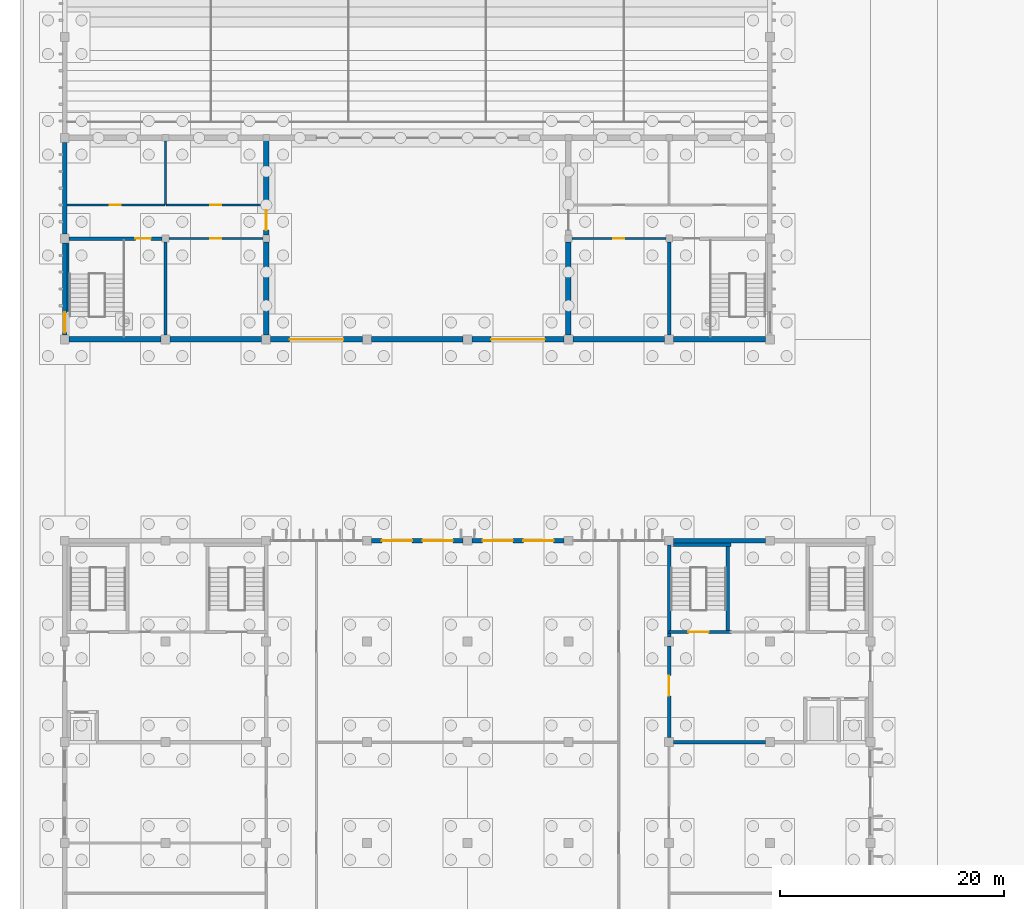
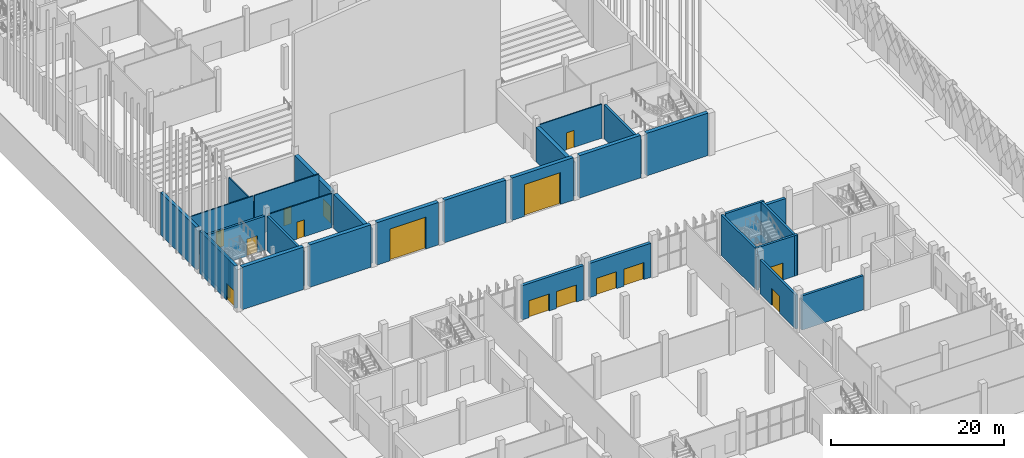
# One storey, part 83 of 198: 31 walls, 15 doors, 15 openings.
"""IFC4 building model written with IfcOpenShell, lengths in metres."""

from ifc_helpers import new_model, si_unit, direction, frame, frame_2d, origin, place, context, subcontext, project, spatial, rectangle, extrude, material, layer, layer_set, type_object, element, fill, save


model = new_model("IFC4")

# Units and contexts
model_context = context("Model", 3, precision=1e-05, world=origin(), true_north=direction((0.0, 1.0)))
body_context = subcontext(model_context, "Body", "Model", "MODEL_VIEW")
ifc_project = project(units=[si_unit("LENGTHUNIT", "METRE"), si_unit("AREAUNIT", "SQUARE_METRE"), si_unit("VOLUMEUNIT", "CUBIC_METRE"), si_unit("PLANEANGLEUNIT", "RADIAN"), si_unit("MASSUNIT", "GRAM", prefix="KILO")], contexts=[model_context])

# Site, building, storey
site_placement = place(None, origin())
site = spatial("IfcSite", under=ifc_project, at=site_placement, CompositionType="ELEMENT")
building_placement = place(site_placement, origin())
building = spatial("IfcBuilding", under=site, at=building_placement, Name="Opaline Strait Convention Centre", CompositionType="ELEMENT")
storey_placement = place(building_placement, origin())
storey = spatial("IfcBuildingStorey", under=building, at=storey_placement, Name="L00", CompositionType="ELEMENT", Elevation=0.0)

# Wall, opening, door
ifc_material_1 = material(Name="Autoclaved aerated blockwork", Category="masonry")
ifc_layer_1 = layer(ifc_material_1, 0.14990234375)
ifc_layer_set_1 = layer_set([ifc_layer_1], Name="Autoclaved aerated blockwork")
wall_type_1 = type_object("IfcWallType", Name="Blockwork partition 150", PredefinedType="PARTITIONING", material=ifc_layer_set_1)
wall_1_placement = place(storey_placement, frame((9.199951171875, 129.0, 0.0), z_axis=(0.0, 0.0, 1.0), x_axis=(1.0, 0.0, 0.0)))
wall_1 = element("IfcWall", 1, at=wall_1_placement, inside=storey, type_object=wall_type_1, Name="PW11 L00 partition WY129A", PredefinedType="PARTITIONING", context=body_context, shape_type="SweptSolid", body=[
    extrude(rectangle(XDim=8.72509765625, YDim=0.14990234375, at=frame_2d((4.362548828125, 0.0))), origin(), (0.0, 0.0, 1.0), 5.719970703125),
])
opening_1_placement = place(wall_1_placement, frame((3.800048828125, 0.0, 0.0)))
opening_1 = element("IfcOpeningElement", 2, at=opening_1_placement, cuts=wall_1, Name="Opening P0-023", PredefinedType="OPENING", context=body_context, shape_type="SweptSolid", body=[
    extrude(rectangle(XDim=1.0, YDim=2.39990234375, at=frame_2d((0.5, 1.199951171875))), frame((0.0, 0.0849609375, 0.0), z_axis=(0.0, -1.0, 0.0), x_axis=(1.0, 0.0, 0.0)), (0.0, 0.0, 1.0), 0.169921875),
])
ifc_material_2 = material(Name="Steel Q235B", Category="steel")
door_type_1 = type_object("IfcDoorType", Name="Fire door FD30 1000 x 2400", OperationType="NOTDEFINED", PredefinedType="DOOR", material=ifc_material_2)
door_1_placement = place(opening_1_placement, origin())
door_1 = element("IfcDoor", 3, at=door_1_placement, inside=storey, type_object=door_type_1, Name="L00 room door", ObjectType="PD7", OperationType="SINGLE_SWING_LEFT", OverallHeight=2.39990234375, OverallWidth=1.0, PredefinedType="DOOR", context=body_context, shape_type="SweptSolid", body=[
    extrude(rectangle(XDim=1.0, YDim=2.39990234375, at=frame_2d((0.5, 1.199951171875))), frame((0.0, 0.02490234375, 0.0), z_axis=(0.0, -1.0, 0.0), x_axis=(1.0, 0.0, 0.0)), (0.0, 0.0, 1.0), 0.050048828125),
])
fill(opening_1, door_1)

wall_2_placement = place(storey_placement, frame((18.074951171875, 129.0, 0.0), z_axis=(0.0, 0.0, 1.0), x_axis=(1.0, 0.0, 0.0)))
wall_2 = element("IfcWall", 4, at=wall_2_placement, inside=storey, type_object=wall_type_1, Name="PW11 L00 partition WY129B", PredefinedType="PARTITIONING", context=body_context, shape_type="SweptSolid", body=[
    extrude(rectangle(XDim=8.625, YDim=0.14990234375, at=frame_2d((4.3125, 0.0))), origin(), (0.0, 0.0, 1.0), 5.719970703125),
])
opening_2_placement = place(wall_2_placement, frame((3.925048828125, 0.0, 0.0)))
opening_2 = element("IfcOpeningElement", 5, at=opening_2_placement, cuts=wall_2, Name="Opening P0-024", PredefinedType="OPENING", context=body_context, shape_type="SweptSolid", body=[
    extrude(rectangle(XDim=1.0, YDim=2.39990234375, at=frame_2d((0.5, 1.199951171875))), frame((0.0, 0.0849609375, 0.0), z_axis=(0.0, -1.0, 0.0), x_axis=(1.0, 0.0, 0.0)), (0.0, 0.0, 1.0), 0.169921875),
])
door_2_placement = place(opening_2_placement, origin())
door_2 = element("IfcDoor", 6, at=door_2_placement, inside=storey, type_object=door_type_1, Name="L00 room door", ObjectType="PD7", OperationType="SINGLE_SWING_RIGHT", OverallHeight=2.39990234375, OverallWidth=1.0, PredefinedType="DOOR", context=body_context, shape_type="SweptSolid", body=[
    extrude(rectangle(XDim=1.0, YDim=2.39990234375, at=frame_2d((0.5, 1.199951171875))), frame((0.0, 0.02490234375, 0.0), z_axis=(0.0, -1.0, 0.0), x_axis=(1.0, 0.0, 0.0)), (0.0, 0.0, 1.0), 0.050048828125),
])
fill(opening_2, door_2)

# Wall
wall_3_placement = place(storey_placement, frame((18.0, 129.074951171875, 0.0), z_axis=(0.0, 0.0, 1.0), x_axis=(0.0, 1.0, 0.0)))
element("IfcWall", 7, at=wall_3_placement, inside=storey, type_object=wall_type_1, Name="PW11 L00 partition WX18", PredefinedType="PARTITIONING", context=body_context, shape_type="SweptSolid", body=[
    extrude(rectangle(XDim=5.625, YDim=0.14990234375, at=frame_2d((2.8125, 0.0))), origin(), (0.0, 0.0, 1.0), 4.820068359375),
])

# Wall, opening, door
wall_4_placement = place(storey_placement, frame((18.300048828125, 126.0, 0.0), z_axis=(0.0, 0.0, 1.0), x_axis=(1.0, 0.0, 0.0)))
wall_4 = element("IfcWall", 8, at=wall_4_placement, inside=storey, type_object=wall_type_1, Name="PW11 L00 partition WY126", PredefinedType="PARTITIONING", context=body_context, shape_type="SweptSolid", body=[
    extrude(rectangle(XDim=8.39990234375, YDim=0.14990234375, at=frame_2d((4.199951171875, 0.0))), origin(), (0.0, 0.0, 1.0), 4.820068359375),
])
opening_3_placement = place(wall_4_placement, frame((3.699951171875, 0.0, 0.0)))
opening_3 = element("IfcOpeningElement", 9, at=opening_3_placement, cuts=wall_4, Name="Opening P0-025", PredefinedType="OPENING", context=body_context, shape_type="SweptSolid", body=[
    extrude(rectangle(XDim=1.0, YDim=2.39990234375, at=frame_2d((0.5, 1.199951171875))), frame((0.0, 0.0849609375, 0.0), z_axis=(0.0, -1.0, 0.0), x_axis=(1.0, 0.0, 0.0)), (0.0, 0.0, 1.0), 0.169921875),
])
door_3_placement = place(opening_3_placement, origin())
door_3 = element("IfcDoor", 10, at=door_3_placement, inside=storey, type_object=door_type_1, Name="L00 room door", ObjectType="PD7", OperationType="SINGLE_SWING_LEFT", OverallHeight=2.39990234375, OverallWidth=1.0, PredefinedType="DOOR", context=body_context, shape_type="SweptSolid", body=[
    extrude(rectangle(XDim=1.0, YDim=2.39990234375, at=frame_2d((0.5, 1.199951171875))), frame((0.0, 0.02490234375, 0.0), z_axis=(0.0, -1.0, 0.0), x_axis=(1.0, 0.0, 0.0)), (0.0, 0.0, 1.0), 0.050048828125),
])
fill(opening_3, door_3)

wall_5_placement = place(storey_placement, frame((62.699951171875, 126.0, 0.0), z_axis=(0.0, 0.0, 1.0), x_axis=(-1.0, 0.0, 0.0)))
wall_5 = element("IfcWall", 11, at=wall_5_placement, inside=storey, type_object=wall_type_1, Name="PW11 L00 partition EY126", PredefinedType="PARTITIONING", context=body_context, shape_type="SweptSolid", body=[
    extrude(rectangle(XDim=8.39990234375, YDim=0.14990234375, at=frame_2d((4.199951171875, 0.0))), origin(), (0.0, 0.0, 1.0), 4.820068359375),
])
opening_4_placement = place(wall_5_placement, frame((3.699951171875, 0.0, 0.0)))
opening_4 = element("IfcOpeningElement", 12, at=opening_4_placement, cuts=wall_5, Name="Opening P0-029", PredefinedType="OPENING", context=body_context, shape_type="SweptSolid", body=[
    extrude(rectangle(XDim=1.0, YDim=2.39990234375, at=frame_2d((0.5, 1.199951171875))), frame((0.0, 0.0849609375, 0.0), z_axis=(0.0, -1.0, 0.0), x_axis=(1.0, 0.0, 0.0)), (0.0, 0.0, 1.0), 0.169921875),
])
door_4_placement = place(opening_4_placement, origin())
door_4 = element("IfcDoor", 13, at=door_4_placement, inside=storey, type_object=door_type_1, Name="L00 room door", ObjectType="PD7", OperationType="SINGLE_SWING_LEFT", OverallHeight=2.39990234375, OverallWidth=1.0, PredefinedType="DOOR", context=body_context, shape_type="SweptSolid", body=[
    extrude(rectangle(XDim=1.0, YDim=2.39990234375, at=frame_2d((0.5, 1.199951171875))), frame((0.0, 0.02490234375, 0.0), z_axis=(0.0, -1.0, 0.0), x_axis=(1.0, 0.0, 0.0)), (0.0, 0.0, 1.0), 0.050048828125),
])
fill(opening_4, door_4)

ifc_material_3 = material(Name="Concrete C40", Category="concrete")
ifc_layer_2 = layer(ifc_material_3, 0.320068359375)
ifc_material_4 = material(Name="Mineral wool insulation")
ifc_layer_3 = layer(ifc_material_4, 0.050048828125)
ifc_material_5 = material(Name="Gypsum board lining")
ifc_layer_4 = layer(ifc_material_5, 0.030029296875)
ifc_layer_set_2 = layer_set([ifc_layer_2, ifc_layer_3, ifc_layer_4], Name="Concrete C40, Mineral wool insulation, Gypsum board lining")
wall_type_2 = type_object("IfcWallType", Name="RC external wall 400 C40", PredefinedType="SOLIDWALL", material=ifc_layer_set_2)
wall_6_placement = place(storey_placement, frame((9.0, 117.39990234375, 0.0), z_axis=(0.0, 0.0, 1.0), x_axis=(0.0, 1.0, 0.0)))
wall_6 = element("IfcWall", 14, at=wall_6_placement, inside=storey, type_object=wall_type_2, Name="PW1 west wall L00 2/P-2/Q", PredefinedType="SOLIDWALL", context=body_context, shape_type="SweptSolid", body=[
    extrude(rectangle(XDim=8.2001953125, YDim=0.39990234375, at=frame_2d((4.10009765625, 0.0))), origin(), (0.0, 0.0, 1.0), 6.0),
])
opening_5_placement = place(wall_6_placement, frame((0.199951171875, 0.0, 0.0)))
opening_5 = element("IfcOpeningElement", 15, at=opening_5_placement, cuts=wall_6, Name="Opening P0-006", PredefinedType="OPENING", context=body_context, shape_type="SweptSolid", body=[
    extrude(rectangle(XDim=1.800048828125, YDim=2.39990234375, at=frame_2d((0.89990234375, 1.199951171875))), frame((0.0, 0.2099609375, 0.0), z_axis=(0.0, -1.0, 0.0), x_axis=(1.0, 0.0, 0.0)), (0.0, 0.0, 1.0), 0.419921875),
])
door_type_2 = type_object("IfcDoorType", Name="Exit double door 1800 x 2400", OperationType="DOUBLE_DOOR_SINGLE_SWING", PredefinedType="DOOR", material=ifc_material_2)
door_5_placement = place(opening_5_placement, origin())
door_5 = element("IfcDoor", 16, at=door_5_placement, inside=storey, type_object=door_type_2, Name="Stage wing stair exit west", ObjectType="PD3", OperationType="DOUBLE_DOOR_SINGLE_SWING", OverallHeight=2.39990234375, OverallWidth=1.800048828125, PredefinedType="DOOR", context=body_context, shape_type="SweptSolid", body=[
    extrude(rectangle(XDim=1.800048828125, YDim=2.39990234375, at=frame_2d((0.89990234375, 1.199951171875))), frame((0.0, 0.02490234375, 0.0), z_axis=(0.0, -1.0, 0.0), x_axis=(1.0, 0.0, 0.0)), (0.0, 0.0, 1.0), 0.050048828125),
])
fill(opening_5, door_5)

# Walls
wall_7_placement = place(storey_placement, frame((9.0, 126.39990234375, 0.0), z_axis=(0.0, 0.0, 1.0), x_axis=(0.0, 1.0, 0.0)))
element("IfcWall", 17, at=wall_7_placement, inside=storey, type_object=wall_type_2, Name="PW1 west wall L00 2/Q-2/R", PredefinedType="SOLIDWALL", context=body_context, shape_type="SweptSolid", body=[
    extrude(rectangle(XDim=8.2001953125, YDim=0.39990234375, at=frame_2d((4.10009765625, 0.0))), origin(), (0.0, 0.0, 1.0), 6.0),
])
ifc_layer_5 = layer(ifc_material_3, 0.419921875)
ifc_layer_6 = layer(ifc_material_4, 0.050048828125)
ifc_layer_7 = layer(ifc_material_5, 0.030029296875)
ifc_layer_set_3 = layer_set([ifc_layer_5, ifc_layer_6, ifc_layer_7], Name="Concrete C40, Mineral wool insulation, Gypsum board lining")
wall_type_3 = type_object("IfcWallType", Name="RC stage wall 500 C40", PredefinedType="SOLIDWALL", material=ifc_layer_set_3)
for number, where, z_axis, x_axis, name in (
    (18, (9.39990234375, 117.0, 0.0), (0.0, 0.0, 1.0), (1.0, 0.0, 0.0), "PW2 south stage wall L00 2/P-3/P"),
    (19, (18.39990234375, 117.0, 0.0), (0.0, 0.0, 1.0), (1.0, 0.0, 0.0), "PW2 south stage wall L00 3/P-4/P"),
):
    element("IfcWall", number, at=place(storey_placement, frame(where, z_axis=z_axis, x_axis=x_axis)), inside=storey, type_object=wall_type_3, Name=name, PredefinedType="SOLIDWALL", context=body_context, shape_type="SweptSolid", body=[
        extrude(rectangle(XDim=8.2001953125, YDim=0.5, at=frame_2d((4.10009765625, 0.0))), origin(), (0.0, 0.0, 1.0), 6.0),
    ])

# Wall, opening, door
wall_8_placement = place(storey_placement, frame((27.39990234375, 117.0, 0.0), z_axis=(0.0, 0.0, 1.0), x_axis=(1.0, 0.0, 0.0)))
wall_8 = element("IfcWall", 20, at=wall_8_placement, inside=storey, type_object=wall_type_3, Name="PW2 south stage wall L00 4/P-5/P", PredefinedType="SOLIDWALL", context=body_context, shape_type="SweptSolid", body=[
    extrude(rectangle(XDim=8.2001953125, YDim=0.5, at=frame_2d((4.10009765625, 0.0))), origin(), (0.0, 0.0, 1.0), 6.0),
])
opening_6_placement = place(wall_8_placement, frame((1.699951171875, 0.0, 0.0)))
opening_6 = element("IfcOpeningElement", 21, at=opening_6_placement, cuts=wall_8, Name="Opening P0-001", PredefinedType="OPENING", context=body_context, shape_type="SweptSolid", body=[
    extrude(rectangle(XDim=4.800048828125, YDim=4.5, at=frame_2d((2.39990234375, 2.25))), frame((0.0, 0.260009765625, 0.0), z_axis=(0.0, -1.0, 0.0), x_axis=(1.0, 0.0, 0.0)), (0.0, 0.0, 1.0), 0.52001953125),
])
door_type_3 = type_object("IfcDoorType", Name="Scenery dock door 4800 x 4500", OperationType="SLIDING_TO_LEFT", PredefinedType="DOOR", material=ifc_material_2)
door_6_placement = place(opening_6_placement, frame((4.800048828125, 0.0, 0.0), z_axis=(0.0, 0.0, 1.0), x_axis=(-1.0, 0.0, 0.0)))
door_6 = element("IfcDoor", 22, at=door_6_placement, inside=storey, type_object=door_type_3, Name="Scenery dock door", ObjectType="PD4", OperationType="SLIDING_TO_LEFT", OverallHeight=4.5, OverallWidth=4.800048828125, PredefinedType="DOOR", context=body_context, shape_type="SweptSolid", body=[
    extrude(rectangle(XDim=4.800048828125, YDim=4.5, at=frame_2d((2.39990234375, 2.25))), frame((0.0, 0.02490234375, 0.0), z_axis=(0.0, -1.0, 0.0), x_axis=(1.0, 0.0, 0.0)), (0.0, 0.0, 1.0), 0.050048828125),
])
fill(opening_6, door_6)

# Wall
wall_9_placement = place(storey_placement, frame((36.39990234375, 117.0, 0.0), z_axis=(0.0, 0.0, 1.0), x_axis=(1.0, 0.0, 0.0)))
element("IfcWall", 23, at=wall_9_placement, inside=storey, type_object=wall_type_3, Name="PW2 south stage wall L00 5/P-6/P", PredefinedType="SOLIDWALL", context=body_context, shape_type="SweptSolid", body=[
    extrude(rectangle(XDim=8.2001953125, YDim=0.5, at=frame_2d((4.10009765625, 0.0))), origin(), (0.0, 0.0, 1.0), 6.0),
])

# Wall, opening, door
wall_10_placement = place(storey_placement, frame((45.39990234375, 117.0, 0.0), z_axis=(0.0, 0.0, 1.0), x_axis=(1.0, 0.0, 0.0)))
wall_10 = element("IfcWall", 24, at=wall_10_placement, inside=storey, type_object=wall_type_3, Name="PW2 south stage wall L00 6/P-7/P", PredefinedType="SOLIDWALL", context=body_context, shape_type="SweptSolid", body=[
    extrude(rectangle(XDim=8.2001953125, YDim=0.5, at=frame_2d((4.10009765625, 0.0))), origin(), (0.0, 0.0, 1.0), 6.0),
])
opening_7_placement = place(wall_10_placement, frame((1.699951171875, 0.0, 0.0)))
opening_7 = element("IfcOpeningElement", 25, at=opening_7_placement, cuts=wall_10, Name="Opening P0-002", PredefinedType="OPENING", context=body_context, shape_type="SweptSolid", body=[
    extrude(rectangle(XDim=4.800048828125, YDim=4.5, at=frame_2d((2.39990234375, 2.25))), frame((0.0, 0.260009765625, 0.0), z_axis=(0.0, -1.0, 0.0), x_axis=(1.0, 0.0, 0.0)), (0.0, 0.0, 1.0), 0.52001953125),
])
door_7_placement = place(opening_7_placement, frame((4.800048828125, 0.0, 0.0), z_axis=(0.0, 0.0, 1.0), x_axis=(-1.0, 0.0, 0.0)))
door_7 = element("IfcDoor", 26, at=door_7_placement, inside=storey, type_object=door_type_3, Name="Scenery dock door", ObjectType="PD4", OperationType="SLIDING_TO_LEFT", OverallHeight=4.5, OverallWidth=4.800048828125, PredefinedType="DOOR", context=body_context, shape_type="SweptSolid", body=[
    extrude(rectangle(XDim=4.800048828125, YDim=4.5, at=frame_2d((2.39990234375, 2.25))), frame((0.0, 0.02490234375, 0.0), z_axis=(0.0, -1.0, 0.0), x_axis=(1.0, 0.0, 0.0)), (0.0, 0.0, 1.0), 0.050048828125),
])
fill(opening_7, door_7)

# Walls
for number, where, z_axis, x_axis, name in (
    (27, (54.39990234375, 117.0, 0.0), (0.0, 0.0, 1.0), (1.0, 0.0, 0.0), "PW2 south stage wall L00 7/P-8/P"),
    (28, (63.39990234375, 117.0, 0.0), (0.0, 0.0, 1.0), (1.0, 0.0, 0.0), "PW2 south stage wall L00 8/P-9/P"),
):
    element("IfcWall", number, at=place(storey_placement, frame(where, z_axis=z_axis, x_axis=x_axis)), inside=storey, type_object=wall_type_3, Name=name, PredefinedType="SOLIDWALL", context=body_context, shape_type="SweptSolid", body=[
        extrude(rectangle(XDim=8.2001953125, YDim=0.5, at=frame_2d((4.10009765625, 0.0))), origin(), (0.0, 0.0, 1.0), 6.0),
    ])
wall_11_placement = place(storey_placement, frame((27.0, 117.39990234375, 0.0), z_axis=(0.0, 0.0, 1.0), x_axis=(0.0, 1.0, 0.0)))
element("IfcWall", 29, at=wall_11_placement, inside=storey, type_object=wall_type_3, Name="PW2 stage side wall L00 at 4/P", PredefinedType="SOLIDWALL", context=body_context, shape_type="SweptSolid", body=[
    extrude(rectangle(XDim=8.300048828125, YDim=0.5, at=frame_2d((4.14990234375, 0.0))), origin(), (0.0, 0.0, 1.0), 4.820068359375),
])

# Wall, opening, door
wall_12_placement = place(storey_placement, frame((27.0, 126.300048828125, 0.0), z_axis=(0.0, 0.0, 1.0), x_axis=(0.0, 1.0, 0.0)))
wall_12 = element("IfcWall", 30, at=wall_12_placement, inside=storey, type_object=wall_type_3, Name="PW2 stage side wall L00 at 4/P", PredefinedType="SOLIDWALL", context=body_context, shape_type="SweptSolid", body=[
    extrude(rectangle(XDim=8.449951171875, YDim=0.5, at=frame_2d((4.22509765625, 0.0))), origin(), (0.0, 0.0, 1.0), 4.820068359375),
])
opening_8_placement = place(wall_12_placement, frame((0.449951171875, 0.0, 0.0)))
opening_8 = element("IfcOpeningElement", 31, at=opening_8_placement, cuts=wall_12, Name="Opening P0-026", PredefinedType="OPENING", context=body_context, shape_type="SweptSolid", body=[
    extrude(rectangle(XDim=1.800048828125, YDim=2.39990234375, at=frame_2d((0.89990234375, 1.199951171875))), frame((0.0, 0.260009765625, 0.0), z_axis=(0.0, -1.0, 0.0), x_axis=(1.0, 0.0, 0.0)), (0.0, 0.0, 1.0), 0.52001953125),
])
door_type_4 = type_object("IfcDoorType", Name="Fire door FD90 1800 x 2400", OperationType="DOUBLE_DOOR_SINGLE_SWING", PredefinedType="DOOR", material=ifc_material_2)
door_8_placement = place(opening_8_placement, origin())
door_8 = element("IfcDoor", 32, at=door_8_placement, inside=storey, type_object=door_type_4, Name="Stage door", ObjectType="PD9", OperationType="SINGLE_SWING_LEFT", OverallHeight=2.39990234375, OverallWidth=1.800048828125, PredefinedType="DOOR", context=body_context, shape_type="SweptSolid", body=[
    extrude(rectangle(XDim=1.800048828125, YDim=2.39990234375, at=frame_2d((0.89990234375, 1.199951171875))), frame((0.0, 0.02490234375, 0.0), z_axis=(0.0, -1.0, 0.0), x_axis=(1.0, 0.0, 0.0)), (0.0, 0.0, 1.0), 0.050048828125),
])
fill(opening_8, door_8)

# Walls
wall_13_placement = place(storey_placement, frame((54.0, 117.39990234375, 0.0), z_axis=(0.0, 0.0, 1.0), x_axis=(0.0, 1.0, 0.0)))
element("IfcWall", 33, at=wall_13_placement, inside=storey, type_object=wall_type_3, Name="PW2 stage side wall L00 at 7/P", PredefinedType="SOLIDWALL", context=body_context, shape_type="SweptSolid", body=[
    extrude(rectangle(XDim=8.300048828125, YDim=0.5, at=frame_2d((4.14990234375, 0.0))), origin(), (0.0, 0.0, 1.0), 4.820068359375),
])
ifc_layer_8 = layer(ifc_material_3, 0.300048828125)
ifc_layer_set_4 = layer_set([ifc_layer_8], Name="Concrete C40")
wall_type_4 = type_object("IfcWallType", Name="RC stair core wall 300 C40", PredefinedType="SOLIDWALL", material=ifc_layer_set_4)
wall_14_placement = place(storey_placement, frame((18.0, 117.39990234375, 0.0), z_axis=(0.0, 0.0, 1.0), x_axis=(0.0, 1.0, 0.0)))
element("IfcWall", 34, at=wall_14_placement, inside=storey, type_object=wall_type_4, Name="PW13 L00 SW core side wall", PredefinedType="SOLIDWALL", context=body_context, shape_type="SweptSolid", body=[
    extrude(rectangle(XDim=8.300048828125, YDim=0.300048828125, at=frame_2d((4.14990234375, 0.0))), origin(), (0.0, 0.0, 1.0), 4.820068359375),
])

# Wall, opening, door
wall_15_placement = place(storey_placement, frame((9.39990234375, 126.0, 0.0), z_axis=(0.0, 0.0, 1.0), x_axis=(1.0, 0.0, 0.0)))
wall_15 = element("IfcWall", 35, at=wall_15_placement, inside=storey, type_object=wall_type_4, Name="PW13 L00 SW core cross wall", PredefinedType="SOLIDWALL", context=body_context, shape_type="SweptSolid", body=[
    extrude(rectangle(XDim=8.300048828125, YDim=0.300048828125, at=frame_2d((4.14990234375, 0.0))), origin(), (0.0, 0.0, 1.0), 4.820068359375),
])
opening_9_placement = place(wall_15_placement, frame((5.89990234375, 0.0, 0.0)))
opening_9 = element("IfcOpeningElement", 36, at=opening_9_placement, cuts=wall_15, Name="Opening P0-017", PredefinedType="OPENING", context=body_context, shape_type="SweptSolid", body=[
    extrude(rectangle(XDim=1.39990234375, YDim=2.39990234375, at=frame_2d((0.699951171875, 1.199951171875))), frame((0.0, 0.159912109375, 0.0), z_axis=(0.0, -1.0, 0.0), x_axis=(1.0, 0.0, 0.0)), (0.0, 0.0, 1.0), 0.320068359375),
])
door_type_5 = type_object("IfcDoorType", Name="Fire door FD60 1400 x 2400", OperationType="DOUBLE_DOOR_SINGLE_SWING", PredefinedType="DOOR", material=ifc_material_2)
door_9_placement = place(opening_9_placement, origin())
door_9 = element("IfcDoor", 37, at=door_9_placement, inside=storey, type_object=door_type_5, Name="SW stair core door", ObjectType="PD8", OperationType="SINGLE_SWING_LEFT", OverallHeight=2.39990234375, OverallWidth=1.39990234375, PredefinedType="DOOR", context=body_context, shape_type="SweptSolid", body=[
    extrude(rectangle(XDim=1.39990234375, YDim=2.39990234375, at=frame_2d((0.699951171875, 1.199951171875))), frame((0.0, 0.02490234375, 0.0), z_axis=(0.0, -1.0, 0.0), x_axis=(1.0, 0.0, 0.0)), (0.0, 0.0, 1.0), 0.050048828125),
])
fill(opening_9, door_9)

# Walls
wall_16_placement = place(storey_placement, frame((63.0, 117.39990234375, 0.0), z_axis=(0.0, 0.0, 1.0), x_axis=(0.0, 1.0, 0.0)))
element("IfcWall", 38, at=wall_16_placement, inside=storey, type_object=wall_type_4, Name="PW13 L00 SE core side wall", PredefinedType="SOLIDWALL", context=body_context, shape_type="SweptSolid", body=[
    extrude(rectangle(XDim=8.300048828125, YDim=0.300048828125, at=frame_2d((4.14990234375, 0.0))), origin(), (0.0, 0.0, 1.0), 4.820068359375),
])
ifc_layer_9 = layer(ifc_material_3, 0.199951171875)
ifc_layer_set_5 = layer_set([ifc_layer_9], Name="Concrete C40")
wall_type_5 = type_object("IfcWallType", Name="RC stair lining wall 200 C40", PredefinedType="SOLIDWALL", material=ifc_layer_set_5)
wall_17_placement = place(storey_placement, frame((9.300048828125, 119.5, 0.0), z_axis=(0.0, 0.0, 1.0), x_axis=(0.0, 1.0, 0.0)))
element("IfcWall", 39, at=wall_17_placement, inside=storey, type_object=wall_type_5, Name="PW14 L00 SW stair lining wall 1", PredefinedType="SOLIDWALL", context=body_context, shape_type="SweptSolid", body=[
    extrude(rectangle(XDim=6.199951171875, YDim=0.199951171875, at=frame_2d((3.10009765625, 0.0))), origin(), (0.0, 0.0, 1.0), 5.719970703125),
])
ifc_layer_10 = layer(ifc_material_3, 0.300048828125)
ifc_layer_set_6 = layer_set([ifc_layer_10], Name="Concrete C40")
wall_type_6 = type_object("IfcWallType", Name="RC wall 300 C40", PredefinedType="SOLIDWALL", material=ifc_layer_set_6)
wall_18_placement = place(storey_placement, frame((68.550048828125, 98.64990234375, 0.0), z_axis=(0.0, 0.0, 1.0), x_axis=(-1.0, 0.0, 0.0)))
element("IfcWall", 40, at=wall_18_placement, inside=storey, type_object=wall_type_6, Name="NE core STB-S wall", PredefinedType="SOLIDWALL", context=body_context, shape_type="SweptSolid", body=[
    extrude(rectangle(XDim=5.150146484375, YDim=0.300048828125, at=frame_2d((2.5751953125, 0.0))), origin(), (0.0, 0.0, 1.0), 5.719970703125),
])

# Wall, opening, door
wall_19_placement = place(storey_placement, frame((68.550048828125, 90.85009765625, 0.0), z_axis=(0.0, 0.0, 1.0), x_axis=(-1.0, 0.0, 0.0)))
wall_19 = element("IfcWall", 41, at=wall_19_placement, inside=storey, type_object=wall_type_6, Name="NE core STB-N wall", PredefinedType="SOLIDWALL", context=body_context, shape_type="SweptSolid", body=[
    extrude(rectangle(XDim=5.550048828125, YDim=0.300048828125, at=frame_2d((2.77490234375, 0.0))), origin(), (0.0, 0.0, 1.0), 5.719970703125),
])
opening_10_placement = place(wall_19_placement, frame((2.02490234375, 0.0, 0.0)))
opening_10 = element("IfcOpeningElement", 42, at=opening_10_placement, cuts=wall_19, Name="Opening R0-018", PredefinedType="OPENING", context=body_context, shape_type="SweptSolid", body=[
    extrude(rectangle(XDim=1.800048828125, YDim=2.39990234375, at=frame_2d((0.89990234375, 1.199951171875))), frame((0.0, 0.159912109375, 0.0), z_axis=(0.0, -1.0, 0.0), x_axis=(1.0, 0.0, 0.0)), (0.0, 0.0, 1.0), 0.320068359375),
])
ifc_material_6 = material(Name="Timber door leaves in steel frame", Category="steel")
door_type_6 = type_object("IfcDoorType", Name="Stair door 1800x2400 double FD60", OperationType="DOUBLE_DOOR_SINGLE_SWING", PredefinedType="DOOR", material=ifc_material_6)
door_10_placement = place(opening_10_placement, origin())
door_10 = element("IfcDoor", 43, at=door_10_placement, inside=storey, type_object=door_type_6, Name="Stair door NEB R0-018", ObjectType="RD7", OperationType="DOUBLE_DOOR_SINGLE_SWING", OverallHeight=2.39990234375, OverallWidth=1.800048828125, PredefinedType="DOOR", context=body_context, shape_type="SweptSolid", body=[
    extrude(rectangle(XDim=1.800048828125, YDim=2.39990234375, at=frame_2d((0.89990234375, 1.199951171875))), frame((0.0, 0.02490234375, 0.0), z_axis=(0.0, -1.0, 0.0), x_axis=(1.0, 0.0, 0.0)), (0.0, 0.0, 1.0), 0.050048828125),
])
fill(opening_10, door_10)

# Walls
wall_20_placement = place(storey_placement, frame((68.25, 98.800048828125, 0.0), z_axis=(0.0, 0.0, 1.0), x_axis=(0.0, -1.0, 0.0)))
element("IfcWall", 44, at=wall_20_placement, inside=storey, type_object=wall_type_6, Name="NE core STB-W wall", PredefinedType="SOLIDWALL", context=body_context, shape_type="SweptSolid", body=[
    extrude(rectangle(XDim=8.10009765625, YDim=0.300048828125, at=frame_2d((4.050048828125, 0.0))), origin(), (0.0, 0.0, 1.0), 5.719970703125),
])
wall_21_placement = place(storey_placement, frame((63.0, 98.60009765625, 0.0), z_axis=(0.0, 0.0, 1.0), x_axis=(0.0, -1.0, 0.0)))
element("IfcWall", 45, at=wall_21_placement, inside=storey, type_object=wall_type_6, Name="NE core STB-E wall", PredefinedType="SOLIDWALL", context=body_context, shape_type="SweptSolid", body=[
    extrude(rectangle(XDim=7.900146484375, YDim=0.300048828125, at=frame_2d((3.9501953125, 0.0))), origin(), (0.0, 0.0, 1.0), 5.719970703125),
])
wall_22_placement = place(storey_placement, frame((71.60009765625, 81.0, 0.0), z_axis=(0.0, 0.0, 1.0), x_axis=(-1.0, 0.0, 0.0)))
element("IfcWall", 46, at=wall_22_placement, inside=storey, type_object=wall_type_6, Name="NE core BND-N wall", PredefinedType="SOLIDWALL", context=body_context, shape_type="SweptSolid", body=[
    extrude(rectangle(XDim=8.2001953125, YDim=0.300048828125, at=frame_2d((4.10009765625, 0.0))), origin(), (0.0, 0.0, 1.0), 4.820068359375),
])

# Wall, opening, door
wall_23_placement = place(storey_placement, frame((63.0, 89.60009765625, 0.0), z_axis=(0.0, 0.0, 1.0), x_axis=(0.0, -1.0, 0.0)))
wall_23 = element("IfcWall", 47, at=wall_23_placement, inside=storey, type_object=wall_type_6, Name="NE core BND-E wall", PredefinedType="SOLIDWALL", context=body_context, shape_type="SweptSolid", body=[
    extrude(rectangle(XDim=8.2001953125, YDim=0.300048828125, at=frame_2d((4.10009765625, 0.0))), origin(), (0.0, 0.0, 1.0), 4.820068359375),
])
opening_11_placement = place(wall_23_placement, frame((2.64990234375, 0.0, 0.0)))
opening_11 = element("IfcOpeningElement", 48, at=opening_11_placement, cuts=wall_23, Name="Opening R0-020", PredefinedType="OPENING", context=body_context, shape_type="SweptSolid", body=[
    extrude(rectangle(XDim=1.800048828125, YDim=2.39990234375, at=frame_2d((0.89990234375, 1.199951171875))), frame((0.0, 0.159912109375, 0.0), z_axis=(0.0, -1.0, 0.0), x_axis=(1.0, 0.0, 0.0)), (0.0, 0.0, 1.0), 0.320068359375),
])
door_type_7 = type_object("IfcDoorType", Name="Door 1800x2400 double FD60", OperationType="DOUBLE_DOOR_SINGLE_SWING", PredefinedType="DOOR", material=ifc_material_6)
door_11_placement = place(opening_11_placement, frame((1.800048828125, 0.0, 0.0), z_axis=(0.0, 0.0, 1.0), x_axis=(-1.0, 0.0, 0.0)))
door_11 = element("IfcDoor", 49, at=door_11_placement, inside=storey, type_object=door_type_7, Name="Core lobby door NE R0-020", ObjectType="RD9", OperationType="DOUBLE_DOOR_SINGLE_SWING", OverallHeight=2.39990234375, OverallWidth=1.800048828125, PredefinedType="DOOR", context=body_context, shape_type="SweptSolid", body=[
    extrude(rectangle(XDim=1.800048828125, YDim=2.39990234375, at=frame_2d((0.89990234375, 1.199951171875))), frame((0.0, 0.02490234375, 0.0), z_axis=(0.0, -1.0, 0.0), x_axis=(1.0, 0.0, 0.0)), (0.0, 0.0, 1.0), 0.050048828125),
])
fill(opening_11, door_11)

# Wall
wall_24_placement = place(storey_placement, frame((63.0, 90.699951171875, 0.0), z_axis=(0.0, 0.0, 1.0), x_axis=(0.0, -1.0, 0.0)))
element("IfcWall", 50, at=wall_24_placement, inside=storey, type_object=wall_type_6, Name="NE core BND-E wall", PredefinedType="SOLIDWALL", context=body_context, shape_type="SweptSolid", body=[
    extrude(rectangle(XDim=0.300048828125, YDim=0.300048828125, at=frame_2d((0.14990234375, 0.0))), origin(), (0.0, 0.0, 1.0), 4.820068359375),
])

# Wall, openings, doors
ifc_layer_11 = layer(ifc_material_3, 0.320068359375)
ifc_layer_12 = layer(ifc_material_4, 0.050048828125)
ifc_layer_13 = layer(ifc_material_5, 0.030029296875)
ifc_layer_set_7 = layer_set([ifc_layer_11, ifc_layer_12, ifc_layer_13], Name="Concrete C40, Mineral wool insulation, Gypsum board lining")
wall_type_7 = type_object("IfcWallType", Name="RC wall 400 C40", PredefinedType="SOLIDWALL", material=ifc_layer_set_7)
wall_25_placement = place(storey_placement, frame((36.39990234375, 99.0, 0.0), z_axis=(0.0, 0.0, 1.0), x_axis=(1.0, 0.0, 0.0)))
wall_25 = element("IfcWall", 51, at=wall_25_placement, inside=storey, type_object=wall_type_7, Name="L00 N external wall 4", PredefinedType="SOLIDWALL", context=body_context, shape_type="SweptSolid", body=[
    extrude(rectangle(XDim=8.2001953125, YDim=0.39990234375, at=frame_2d((4.10009765625, 0.0))), origin(), (0.0, 0.0, 1.0), 4.820068359375),
])
opening_12_placement = place(wall_25_placement, frame((0.929931640625, 0.0, 0.0)))
opening_12 = element("IfcOpeningElement", 52, at=opening_12_placement, cuts=wall_25, Name="Opening R0-057", PredefinedType="OPENING", context=body_context, shape_type="SweptSolid", body=[
    extrude(rectangle(XDim=2.699951171875, YDim=2.39990234375, at=frame_2d((1.35009765625, 1.199951171875))), frame((0.0, 0.2099609375, 0.0), z_axis=(0.0, -1.0, 0.0), x_axis=(1.0, 0.0, 0.0)), (0.0, 0.0, 1.0), 0.419921875),
])
opening_13_placement = place(wall_25_placement, frame((4.570068359375, 0.0, 0.0)))
opening_13 = element("IfcOpeningElement", 53, at=opening_13_placement, cuts=wall_25, Name="Opening R0-058", PredefinedType="OPENING", context=body_context, shape_type="SweptSolid", body=[
    extrude(rectangle(XDim=2.699951171875, YDim=2.39990234375, at=frame_2d((1.35009765625, 1.199951171875))), frame((0.0, 0.2099609375, 0.0), z_axis=(0.0, -1.0, 0.0), x_axis=(1.0, 0.0, 0.0)), (0.0, 0.0, 1.0), 0.419921875),
])
ifc_material_7 = material(Name="Aluminium framed double glazing", Category="aluminium")
door_type_8 = type_object("IfcDoorType", Name="Exit door 2700x2400 glazed pair", OperationType="DOUBLE_DOOR_SINGLE_SWING", PredefinedType="DOOR", material=ifc_material_7)
door_12_placement = place(opening_12_placement, frame((2.699951171875, 0.0, 0.0), z_axis=(0.0, 0.0, 1.0), x_axis=(-1.0, 0.0, 0.0)))
door_12 = element("IfcDoor", 54, at=door_12_placement, inside=storey, type_object=door_type_8, Name="Entrance door R0-057", ObjectType="RD10", OperationType="DOUBLE_DOOR_SINGLE_SWING", OverallHeight=2.39990234375, OverallWidth=2.699951171875, PredefinedType="DOOR", context=body_context, shape_type="SweptSolid", body=[
    extrude(rectangle(XDim=2.699951171875, YDim=2.39990234375, at=frame_2d((1.35009765625, 1.199951171875))), frame((0.0, 0.02490234375, 0.0), z_axis=(0.0, -1.0, 0.0), x_axis=(1.0, 0.0, 0.0)), (0.0, 0.0, 1.0), 0.050048828125),
])
fill(opening_12, door_12)
door_13_placement = place(opening_13_placement, frame((2.699951171875, 0.0, 0.0), z_axis=(0.0, 0.0, 1.0), x_axis=(-1.0, 0.0, 0.0)))
door_13 = element("IfcDoor", 55, at=door_13_placement, inside=storey, type_object=door_type_8, Name="Entrance door R0-058", ObjectType="RD10", OperationType="DOUBLE_DOOR_SINGLE_SWING", OverallHeight=2.39990234375, OverallWidth=2.699951171875, PredefinedType="DOOR", context=body_context, shape_type="SweptSolid", body=[
    extrude(rectangle(XDim=2.699951171875, YDim=2.39990234375, at=frame_2d((1.35009765625, 1.199951171875))), frame((0.0, 0.02490234375, 0.0), z_axis=(0.0, -1.0, 0.0), x_axis=(1.0, 0.0, 0.0)), (0.0, 0.0, 1.0), 0.050048828125),
])
fill(opening_13, door_13)

wall_26_placement = place(storey_placement, frame((45.39990234375, 99.0, 0.0), z_axis=(0.0, 0.0, 1.0), x_axis=(1.0, 0.0, 0.0)))
wall_26 = element("IfcWall", 56, at=wall_26_placement, inside=storey, type_object=wall_type_7, Name="L00 N external wall 5", PredefinedType="SOLIDWALL", context=body_context, shape_type="SweptSolid", body=[
    extrude(rectangle(XDim=8.2001953125, YDim=0.39990234375, at=frame_2d((4.10009765625, 0.0))), origin(), (0.0, 0.0, 1.0), 4.820068359375),
])
opening_14_placement = place(wall_26_placement, frame((0.929931640625, 0.0, 0.0)))
opening_14 = element("IfcOpeningElement", 57, at=opening_14_placement, cuts=wall_26, Name="Opening R0-059", PredefinedType="OPENING", context=body_context, shape_type="SweptSolid", body=[
    extrude(rectangle(XDim=2.699951171875, YDim=2.39990234375, at=frame_2d((1.35009765625, 1.199951171875))), frame((0.0, 0.2099609375, 0.0), z_axis=(0.0, -1.0, 0.0), x_axis=(1.0, 0.0, 0.0)), (0.0, 0.0, 1.0), 0.419921875),
])
opening_15_placement = place(wall_26_placement, frame((4.570068359375, 0.0, 0.0)))
opening_15 = element("IfcOpeningElement", 58, at=opening_15_placement, cuts=wall_26, Name="Opening R0-060", PredefinedType="OPENING", context=body_context, shape_type="SweptSolid", body=[
    extrude(rectangle(XDim=2.699951171875, YDim=2.39990234375, at=frame_2d((1.35009765625, 1.199951171875))), frame((0.0, 0.2099609375, 0.0), z_axis=(0.0, -1.0, 0.0), x_axis=(1.0, 0.0, 0.0)), (0.0, 0.0, 1.0), 0.419921875),
])
door_14_placement = place(opening_14_placement, frame((2.699951171875, 0.0, 0.0), z_axis=(0.0, 0.0, 1.0), x_axis=(-1.0, 0.0, 0.0)))
door_14 = element("IfcDoor", 59, at=door_14_placement, inside=storey, type_object=door_type_8, Name="Entrance door R0-059", ObjectType="RD10", OperationType="DOUBLE_DOOR_SINGLE_SWING", OverallHeight=2.39990234375, OverallWidth=2.699951171875, PredefinedType="DOOR", context=body_context, shape_type="SweptSolid", body=[
    extrude(rectangle(XDim=2.699951171875, YDim=2.39990234375, at=frame_2d((1.35009765625, 1.199951171875))), frame((0.0, 0.02490234375, 0.0), z_axis=(0.0, -1.0, 0.0), x_axis=(1.0, 0.0, 0.0)), (0.0, 0.0, 1.0), 0.050048828125),
])
fill(opening_14, door_14)
door_15_placement = place(opening_15_placement, frame((2.699951171875, 0.0, 0.0), z_axis=(0.0, 0.0, 1.0), x_axis=(-1.0, 0.0, 0.0)))
door_15 = element("IfcDoor", 60, at=door_15_placement, inside=storey, type_object=door_type_8, Name="Entrance door R0-060", ObjectType="RD10", OperationType="DOUBLE_DOOR_SINGLE_SWING", OverallHeight=2.39990234375, OverallWidth=2.699951171875, PredefinedType="DOOR", context=body_context, shape_type="SweptSolid", body=[
    extrude(rectangle(XDim=2.699951171875, YDim=2.39990234375, at=frame_2d((1.35009765625, 1.199951171875))), frame((0.0, 0.02490234375, 0.0), z_axis=(0.0, -1.0, 0.0), x_axis=(1.0, 0.0, 0.0)), (0.0, 0.0, 1.0), 0.050048828125),
])
fill(opening_15, door_15)

# Wall
wall_27_placement = place(storey_placement, frame((63.39990234375, 99.0, 0.0), z_axis=(0.0, 0.0, 1.0), x_axis=(1.0, 0.0, 0.0)))
element("IfcWall", 61, at=wall_27_placement, inside=storey, type_object=wall_type_7, Name="L00 N external wall 7", PredefinedType="SOLIDWALL", context=body_context, shape_type="SweptSolid", body=[
    extrude(rectangle(XDim=8.2001953125, YDim=0.39990234375, at=frame_2d((4.10009765625, 0.0))), origin(), (0.0, 0.0, 1.0), 4.820068359375),
])

save(model, "model.ifc")
